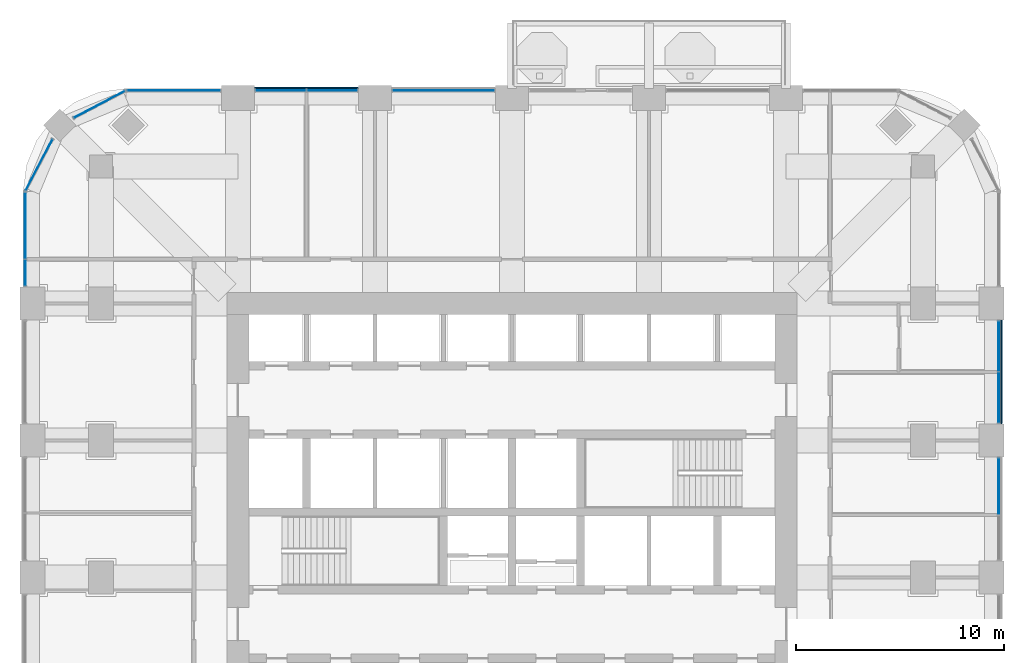
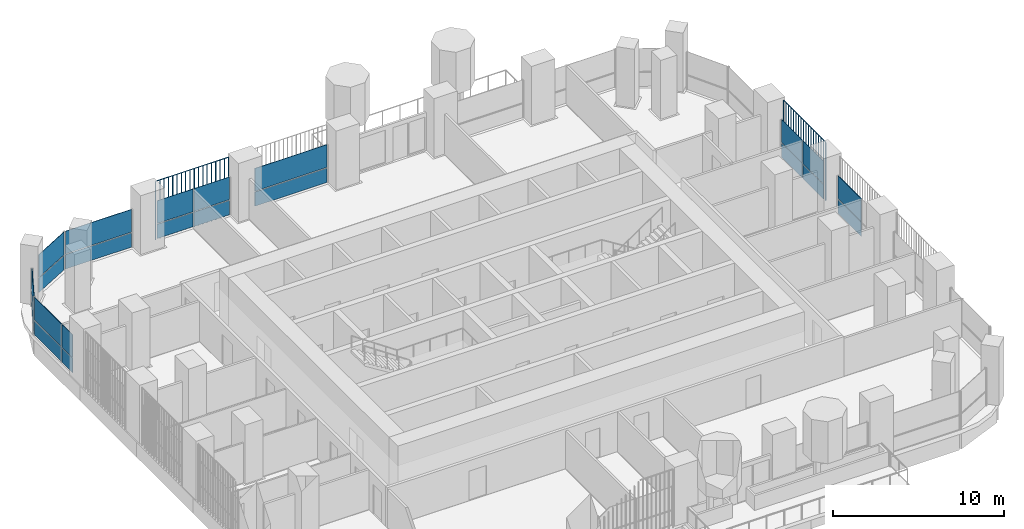
# One storey, part 11 of 19: 24 plates, 8 elements without a shape of their own.
"""IFC4 building model written with IfcOpenShell, lengths in metres."""

import ifcopenshell
import ifcopenshell.guid

model = None  # the IFC model being written
_history = None  # IfcOwnerHistory: only IFC2X3 demands one
_inside = {}  # id of a spatial element -> (the spatial element, [elements in it])
_under = {}  # id of a project, library or spatial element -> (it, [spatial elements below it])
_declared = {}  # id of a project -> (the project, [libraries it declares])
_typed = {}  # id of a type object -> (the type object, [elements of that type])
_made_of = {}  # id of a material, layer set ... -> (it, [elements and type objects made of it])


def new_model(schema):
    """Start an empty IFC model of exactly this schema.

    Asked for "IFC4X3", IfcOpenShell would pick the latest addendum, in which some entities
    have other attributes; the version numbers below select the first issue.
    IFC2X3 requires an IfcOwnerHistory on every rooted entity: one is made here for all.
    """
    global model, _history
    if schema == "IFC4X3":
        model = ifcopenshell.file(schema_version=(4, 3, 0, 0))
    else:
        model = ifcopenshell.file(schema=schema)
    _inside.clear()
    _under.clear()
    _declared.clear()
    _typed.clear()
    _made_of.clear()
    _history = None
    if model.schema == "IFC2X3":
        org = make("IfcOrganization", Name="unknown")
        user = make(
            "IfcPersonAndOrganization",
            ThePerson=make("IfcPerson", FamilyName="unknown"),
            TheOrganization=org,
        )
        app = make(
            "IfcApplication",
            ApplicationDeveloper=org,
            Version="unknown",
            ApplicationFullName="unknown",
            ApplicationIdentifier="unknown",
        )
        _history = make(
            "IfcOwnerHistory",
            OwningUser=user,
            OwningApplication=app,
            ChangeAction="ADDED",
            CreationDate=0,
        )
    return model


def make(cls, **values):
    """One entity of the class cls with the attributes given. An attribute that is None is left unset."""
    return model.create_entity(
        cls, **{name: value for name, value in values.items() if value is not None}
    )


def rooted(cls, **values):
    """An entity with a GlobalId (a new one), such as an element, a storey or a relation."""
    return make(cls, GlobalId=ifcopenshell.guid.new(), OwnerHistory=_history, **values)


def si_unit(unit_type, name, prefix=None):
    """IfcSIUnit, for example si_unit("LENGTHUNIT", "METRE", prefix="MILLI")."""
    return make("IfcSIUnit", UnitType=unit_type, Prefix=prefix, Name=name)


def assignment(units):
    """IfcUnitAssignment: the units of a project."""
    return None if units is None else make("IfcUnitAssignment", Units=units)


def point(xyz):
    """IfcCartesianPoint."""
    return None if xyz is None else make("IfcCartesianPoint", Coordinates=xyz)


def direction(xyz):
    """IfcDirection."""
    return None if xyz is None else make("IfcDirection", DirectionRatios=xyz)


def frame(location, z_axis=None, x_axis=None):
    """IfcAxis2Placement3D, a coordinate frame: its origin and axes. An axis left out is left unset."""
    return make(
        "IfcAxis2Placement3D",
        Location=point(location),
        Axis=direction(z_axis),
        RefDirection=direction(x_axis),
    )


def frame_2d(location, x_axis=None):
    """IfcAxis2Placement2D, a coordinate frame in the plane: its origin and x axis."""
    return make(
        "IfcAxis2Placement2D", Location=point(location), RefDirection=direction(x_axis)
    )


def origin():
    """The frame at (0, 0, 0) with its axes left unset."""
    return frame((0.0, 0.0, 0.0))


def origin_2d():
    """The frame at (0, 0) in the plane with its x axis left unset."""
    return frame_2d((0.0, 0.0))


def place(relative_to, where):
    """IfcLocalPlacement: puts the frame where relative to a parent placement (None: the world)."""
    return make(
        "IfcLocalPlacement", PlacementRelTo=relative_to, RelativePlacement=where
    )


def context(
    kind, dimensions, precision=None, world=None, true_north=None, identifier=None
):
    """IfcGeometricRepresentationContext, for example the 3D "Model" context."""
    return make(
        "IfcGeometricRepresentationContext",
        ContextIdentifier=identifier,
        ContextType=kind,
        CoordinateSpaceDimension=dimensions,
        Precision=precision,
        WorldCoordinateSystem=world,
        TrueNorth=true_north,
    )


def subcontext(parent, identifier, kind, view, scale=None):
    """IfcGeometricRepresentationSubContext, for example "Body" below "Model"."""
    return make(
        "IfcGeometricRepresentationSubContext",
        ContextIdentifier=identifier,
        ContextType=kind,
        ParentContext=parent,
        TargetScale=scale,
        TargetView=view,
    )


def project(units=None, contexts=None):
    """IfcProject with its units and contexts."""
    return rooted(
        "IfcProject",
        Name="project",
        RepresentationContexts=contexts,
        UnitsInContext=assignment(units),
    )


def spatial(cls, under=None, at=None, **own):
    """A site, building, storey or space (cls), placed at a placement, below another one or the project."""
    s = rooted(cls, ObjectPlacement=at, **own)
    if under is not None:
        _under.setdefault(under.id(), (under, []))[1].append(s)
    return s


def polyline(points):
    """IfcPolyline through the points."""
    return make("IfcPolyline", Points=[point(p) for p in points])


def profile(cls, at=None, kind="AREA", **sizes):
    """A parametric profile (cls). Its sizes go by their IFC names, for example OverallWidth=200.0."""
    return make(cls, ProfileType=kind, Position=at, **sizes)


def rectangle(**sizes):
    """IfcRectangleProfileDef."""
    return profile("IfcRectangleProfileDef", **sizes)


def outline(outer, holes=None, kind="AREA"):
    """IfcArbitraryClosedProfileDef: a profile drawn as a closed curve; with holes, ...WithVoids."""
    if holes is None:
        return make("IfcArbitraryClosedProfileDef", ProfileType=kind, OuterCurve=outer)
    return make(
        "IfcArbitraryProfileDefWithVoids",
        ProfileType=kind,
        OuterCurve=outer,
        InnerCurves=holes,
    )


def extrude(swept, where, along, depth):
    """IfcExtrudedAreaSolid: the profile swept, set in the frame where, extruded along a direction by depth."""
    return make(
        "IfcExtrudedAreaSolid",
        SweptArea=swept,
        Position=where,
        ExtrudedDirection=direction(along),
        Depth=depth,
    )


def shape(context_of_items, identifier, shape_type, items):
    """IfcShapeRepresentation: the items that make up one representation, for example the "Body"."""
    return make(
        "IfcShapeRepresentation",
        ContextOfItems=context_of_items,
        RepresentationIdentifier=identifier,
        RepresentationType=shape_type,
        Items=items,
    )


def material(Name=None, Category=None):
    """IfcMaterial."""
    return make("IfcMaterial", Name=Name, Category=Category)


def layer(
    of_material, thickness, ventilated=None, Name=None, Category=None, Priority=None
):
    """IfcMaterialLayer: one layer of a wall or slab, of a material (None: an air gap)."""
    return make(
        "IfcMaterialLayer",
        Material=of_material,
        LayerThickness=thickness,
        IsVentilated=ventilated,
        Name=Name,
        Category=Category,
        Priority=Priority,
    )


def layer_set(layers, Name=None):
    """IfcMaterialLayerSet."""
    return make("IfcMaterialLayerSet", MaterialLayers=layers, LayerSetName=Name)


def made_of(thing, what):
    """Note that an element or type object is made of a material, layer set ...; save() writes the relation."""
    if what is not None:
        _made_of.setdefault(what.id(), (what, []))[1].append(thing)
    return thing


def type_object(cls, material=None, **own):
    """A type object (cls), such as IfcWallType, which elements share."""
    return made_of(rooted(cls, **own), material)


def element(
    cls,
    number,
    at=None,
    inside=None,
    cuts=None,
    type_object=None,
    material=None,
    context=None,
    identifier="Body",
    shape_type=None,
    held_by="IfcProductDefinitionShape",
    body=None,
    shapes=None,
    **own,
):
    """One element of the class cls, such as IfcWall. Its Tag is "e" and its number.

    at: its placement. inside: the storey or other place that contains it. cuts: it is an
    opening in that element (IfcRelVoidsElement). A single representation is given by context,
    identifier, shape_type and body (its items); several are given by shapes. held_by: the class
    of the entity that holds the representations. save() writes the other relations.
    """
    e = rooted(cls, Tag="e%d" % number, ObjectPlacement=at, **own)
    if body is not None:
        shapes = [shape(context, identifier, shape_type, body)]
    if shapes is not None:
        e.Representation = make(held_by, Representations=shapes)
    if inside is not None:
        _inside.setdefault(inside.id(), (inside, []))[1].append(e)
    if cuts is not None:
        rooted(
            "IfcRelVoidsElement", RelatingBuildingElement=cuts, RelatedOpeningElement=e
        )
    if type_object is not None:
        _typed.setdefault(type_object.id(), (type_object, []))[1].append(e)
    return made_of(e, material)


def aggregate(whole, parts):
    """IfcRelAggregates: a whole, such as a stair, and the parts it consists of."""
    return rooted("IfcRelAggregates", RelatingObject=whole, RelatedObjects=parts)


def save(model, path):
    """Write the relations noted so far, then the file.

    IfcRelAggregates (storeys below a building ...), IfcRelContainedInSpatialStructure (elements
    in a storey), IfcRelDefinesByType, IfcRelAssociatesMaterial and IfcRelDeclares: one each for
    every whole, place, type object, material and project.
    """
    for whole, parts in _under.values():
        aggregate(whole, parts)
    for where, things in _inside.values():
        rooted(
            "IfcRelContainedInSpatialStructure",
            RelatedElements=things,
            RelatingStructure=where,
        )
    for kind, things in _typed.values():
        rooted("IfcRelDefinesByType", RelatedObjects=things, RelatingType=kind)
    for what, things in _made_of.values():
        rooted("IfcRelAssociatesMaterial", RelatedObjects=things, RelatingMaterial=what)
    for by, libraries in _declared.values():
        rooted("IfcRelDeclares", RelatingContext=by, RelatedDefinitions=libraries)
    model.write(path)


model = new_model("IFC4")

# Units and contexts
model_context = context("Model", 3, precision=1e-05, world=origin(), true_north=direction((0.0, 1.0)))
body_context = subcontext(model_context, "Body", "Model", "MODEL_VIEW")
ifc_project = project(units=[si_unit("LENGTHUNIT", "METRE"), si_unit("AREAUNIT", "SQUARE_METRE"), si_unit("VOLUMEUNIT", "CUBIC_METRE"), si_unit("PLANEANGLEUNIT", "RADIAN"), si_unit("MASSUNIT", "GRAM", prefix="KILO")], contexts=[model_context])

# Site, building, storey
site_placement = place(None, origin())
site = spatial("IfcSite", under=ifc_project, at=site_placement, CompositionType="ELEMENT")
building_placement = place(site_placement, origin())
building = spatial("IfcBuilding", under=site, at=building_placement, Name="Cobogo Forest Laboratory Tower", CompositionType="ELEMENT")
storey_placement = place(building_placement, frame((0.0, 0.0, 197.699951171875)))
storey = spatial("IfcBuildingStorey", under=building, at=storey_placement, Name="L45", CompositionType="ELEMENT", Elevation=197.699951171875)

# Curtain wall, plates
ifc_material_1 = material(Name="Aluminium curtain wall", Category="aluminium")
curtain_wall_type = type_object("IfcCurtainWallType", Name="CW-2 unitised curtain wall, solar control glazing, laboratory floors zones C and D", PredefinedType="USERDEFINED", material=ifc_material_1)
curtain_wall_1_placement = place(storey_placement, origin())
curtain_wall_1 = element("IfcCurtainWall", 1, at=curtain_wall_1_placement, inside=storey, type_object=curtain_wall_type, Name="Curtain wall 11 L45", ObjectType="UNITISED CURTAIN WALL", PredefinedType="USERDEFINED")
ifc_material_2 = material(Name="Solar control insulated glass", Category="glass")
ifc_layer = layer(ifc_material_2, 0.031982421875)
ifc_layer_set = layer_set([ifc_layer], Name="GP-2 solar control glass unit 32")
plate_type_1 = type_object("IfcPlateType", Name="GP-2 solar control glass unit 32", PredefinedType="CURTAIN_PANEL", material=ifc_layer_set)
plate_1_placement = place(storey_placement, frame((49.85009765625, 24.18505859375, 0.0), z_axis=(0.0, 0.0, 1.0), x_axis=(0.0, 1.0, 0.0)))
plate_1 = element("IfcPlate", 2, at=plate_1_placement, type_object=plate_type_1, Name="CW-2 panel 2.1", PredefinedType="CURTAIN_PANEL", context=body_context, shape_type="SweptSolid", body=[
    extrude(rectangle(XDim=2.7099609375, YDim=0.031982421875, at=origin_2d()), origin(), (0.0, 0.0, 1.0), 1.02001953125),
])
plate_2_placement = place(storey_placement, frame((49.85009765625, 24.18505859375, 1.080078125), z_axis=(0.0, 0.0, 1.0), x_axis=(0.0, 1.0, 0.0)))
plate_2 = element("IfcPlate", 3, at=plate_2_placement, type_object=plate_type_1, Name="CW-2 panel 2.2", PredefinedType="CURTAIN_PANEL", context=body_context, shape_type="SweptSolid", body=[
    extrude(rectangle(XDim=2.7099609375, YDim=0.031982421875, at=origin_2d()), origin(), (0.0, 0.0, 1.0), 1.6201171875),
])
aggregate(curtain_wall_1, [plate_1, plate_2])

curtain_wall_2_placement = place(storey_placement, origin())
curtain_wall_2 = element("IfcCurtainWall", 4, at=curtain_wall_2_placement, inside=storey, type_object=curtain_wall_type, Name="Curtain wall 12 L45", ObjectType="UNITISED CURTAIN WALL", PredefinedType="USERDEFINED")
plate_3_placement = place(storey_placement, frame((49.85009765625, 28.465087890625, 0.0), z_axis=(0.0, 0.0, 1.0), x_axis=(0.0, 1.0, 0.0)))
plate_3 = element("IfcPlate", 5, at=plate_3_placement, type_object=plate_type_1, Name="CW-2 panel 1.1", PredefinedType="CURTAIN_PANEL", context=body_context, shape_type="SweptSolid", body=[
    extrude(rectangle(XDim=2.409912109375, YDim=0.031982421875, at=origin_2d()), origin(), (0.0, 0.0, 1.0), 1.02001953125),
])
plate_4_placement = place(storey_placement, frame((49.85009765625, 28.465087890625, 1.080078125), z_axis=(0.0, 0.0, 1.0), x_axis=(0.0, 1.0, 0.0)))
plate_4 = element("IfcPlate", 6, at=plate_4_placement, type_object=plate_type_1, Name="CW-2 panel 1.2", PredefinedType="CURTAIN_PANEL", context=body_context, shape_type="SweptSolid", body=[
    extrude(rectangle(XDim=2.409912109375, YDim=0.031982421875, at=origin_2d()), origin(), (0.0, 0.0, 1.0), 1.6201171875),
])
plate_5_placement = place(storey_placement, frame((49.85009765625, 30.93505859375, 0.0), z_axis=(0.0, 0.0, 1.0), x_axis=(0.0, 1.0, 0.0)))
plate_5 = element("IfcPlate", 7, at=plate_5_placement, type_object=plate_type_1, Name="CW-2 panel 2.1", PredefinedType="CURTAIN_PANEL", context=body_context, shape_type="SweptSolid", body=[
    extrude(rectangle(XDim=2.409912109375, YDim=0.031982421875, at=origin_2d()), origin(), (0.0, 0.0, 1.0), 1.02001953125),
])
plate_6_placement = place(storey_placement, frame((49.85009765625, 30.93505859375, 1.080078125), z_axis=(0.0, 0.0, 1.0), x_axis=(0.0, 1.0, 0.0)))
plate_6 = element("IfcPlate", 8, at=plate_6_placement, type_object=plate_type_1, Name="CW-2 panel 2.2", PredefinedType="CURTAIN_PANEL", context=body_context, shape_type="SweptSolid", body=[
    extrude(rectangle(XDim=2.409912109375, YDim=0.031982421875, at=origin_2d()), origin(), (0.0, 0.0, 1.0), 1.6201171875),
])
aggregate(curtain_wall_2, [plate_3, plate_4, plate_5, plate_6])

curtain_wall_3_placement = place(storey_placement, origin())
curtain_wall_3 = element("IfcCurtainWall", 9, at=curtain_wall_3_placement, inside=storey, type_object=curtain_wall_type, Name="Curtain wall 19 L45", ObjectType="UNITISED CURTAIN WALL", PredefinedType="USERDEFINED")
plate_7_placement = place(storey_placement, frame((23.10009765625, 43.25, 0.0), z_axis=(0.0, 0.0, 1.0), x_axis=(-1.0, 0.0, 0.0)))
plate_7 = element("IfcPlate", 10, at=plate_7_placement, type_object=plate_type_1, Name="CW-2 panel 1.1", PredefinedType="CURTAIN_PANEL", context=body_context, shape_type="SweptSolid", body=[
    extrude(rectangle(XDim=4.8798828125, YDim=0.031982421875, at=origin_2d()), origin(), (0.0, 0.0, 1.0), 1.02001953125),
])
plate_8_placement = place(storey_placement, frame((23.10009765625, 43.25, 1.080078125), z_axis=(0.0, 0.0, 1.0), x_axis=(-1.0, 0.0, 0.0)))
plate_8 = element("IfcPlate", 11, at=plate_8_placement, type_object=plate_type_1, Name="CW-2 panel 1.2", PredefinedType="CURTAIN_PANEL", context=body_context, shape_type="SweptSolid", body=[
    extrude(rectangle(XDim=4.8798828125, YDim=0.031982421875, at=origin_2d()), origin(), (0.0, 0.0, 1.0), 1.6201171875),
])
aggregate(curtain_wall_3, [plate_7, plate_8])

curtain_wall_4_placement = place(storey_placement, origin())
curtain_wall_4 = element("IfcCurtainWall", 12, at=curtain_wall_4_placement, inside=storey, type_object=curtain_wall_type, Name="Curtain wall 20 L45", ObjectType="UNITISED CURTAIN WALL", PredefinedType="USERDEFINED")
plate_9_placement = place(storey_placement, frame((17.735107421875, 43.25, 0.0), z_axis=(0.0, 0.0, 1.0), x_axis=(-1.0, 0.0, 0.0)))
plate_9 = element("IfcPlate", 13, at=plate_9_placement, type_object=plate_type_1, Name="CW-2 panel 1.1", PredefinedType="CURTAIN_PANEL", context=body_context, shape_type="SweptSolid", body=[
    extrude(rectangle(XDim=2.409912109375, YDim=0.031982421875, at=origin_2d()), origin(), (0.0, 0.0, 1.0), 1.02001953125),
])
plate_10_placement = place(storey_placement, frame((17.735107421875, 43.25, 1.080078125), z_axis=(0.0, 0.0, 1.0), x_axis=(-1.0, 0.0, 0.0)))
plate_10 = element("IfcPlate", 14, at=plate_10_placement, type_object=plate_type_1, Name="CW-2 panel 1.2", PredefinedType="CURTAIN_PANEL", context=body_context, shape_type="SweptSolid", body=[
    extrude(rectangle(XDim=2.409912109375, YDim=0.031982421875, at=origin_2d()), origin(), (0.0, 0.0, 1.0), 1.6201171875),
])
plate_11_placement = place(storey_placement, frame((15.264892578125, 43.25, 0.0), z_axis=(0.0, 0.0, 1.0), x_axis=(-1.0, 0.0, 0.0)))
plate_11 = element("IfcPlate", 15, at=plate_11_placement, type_object=plate_type_1, Name="CW-2 panel 2.1", PredefinedType="CURTAIN_PANEL", context=body_context, shape_type="SweptSolid", body=[
    extrude(rectangle(XDim=2.409912109375, YDim=0.031982421875, at=origin_2d()), origin(), (0.0, 0.0, 1.0), 1.02001953125),
])
plate_12_placement = place(storey_placement, frame((15.264892578125, 43.25, 1.080078125), z_axis=(0.0, 0.0, 1.0), x_axis=(-1.0, 0.0, 0.0)))
plate_12 = element("IfcPlate", 16, at=plate_12_placement, type_object=plate_type_1, Name="CW-2 panel 2.2", PredefinedType="CURTAIN_PANEL", context=body_context, shape_type="SweptSolid", body=[
    extrude(rectangle(XDim=2.409912109375, YDim=0.031982421875, at=origin_2d()), origin(), (0.0, 0.0, 1.0), 1.6201171875),
])
aggregate(curtain_wall_4, [plate_9, plate_10, plate_11, plate_12])

curtain_wall_5_placement = place(storey_placement, origin())
curtain_wall_5 = element("IfcCurtainWall", 17, at=curtain_wall_5_placement, inside=storey, type_object=curtain_wall_type, Name="Curtain wall 21 L45", ObjectType="UNITISED CURTAIN WALL", PredefinedType="USERDEFINED")
plate_13_placement = place(storey_placement, frame((10.10009765625, 43.25, 0.0), z_axis=(0.0, 0.0, 1.0), x_axis=(-1.0, 0.0, 0.0)))
plate_13 = element("IfcPlate", 18, at=plate_13_placement, type_object=plate_type_1, Name="CW-2 panel 1.1", PredefinedType="CURTAIN_PANEL", context=body_context, shape_type="SweptSolid", body=[
    extrude(rectangle(XDim=4.47998046875, YDim=0.031982421875, at=origin_2d()), origin(), (0.0, 0.0, 1.0), 1.02001953125),
])
plate_14_placement = place(storey_placement, frame((10.10009765625, 43.25, 1.080078125), z_axis=(0.0, 0.0, 1.0), x_axis=(-1.0, 0.0, 0.0)))
plate_14 = element("IfcPlate", 19, at=plate_14_placement, type_object=plate_type_1, Name="CW-2 panel 1.2", PredefinedType="CURTAIN_PANEL", context=body_context, shape_type="SweptSolid", body=[
    extrude(rectangle(XDim=4.47998046875, YDim=0.031982421875, at=origin_2d()), origin(), (0.0, 0.0, 1.0), 1.6201171875),
])
aggregate(curtain_wall_5, [plate_13, plate_14])

curtain_wall_6_placement = place(storey_placement, origin())
curtain_wall_6 = element("IfcCurtainWall", 20, at=curtain_wall_6_placement, inside=storey, type_object=curtain_wall_type, Name="Curtain wall 22 L45", ObjectType="UNITISED CURTAIN WALL", PredefinedType="USERDEFINED")
plate_15_placement = place(storey_placement, frame((6.5244140625, 42.581298828125, 0.0), z_axis=(0.0, 0.0, 1.0), x_axis=(-0.885686484356, -0.464283804832, 0.0)))
plate_15 = element("IfcPlate", 21, at=plate_15_placement, type_object=plate_type_1, Name="CW-2 panel 1.1", PredefinedType="CURTAIN_PANEL", context=body_context, shape_type="SweptSolid", body=[
    extrude(rectangle(XDim=2.76025390625, YDim=0.031982421875, at=origin_2d()), origin(), (0.0, 0.0, 1.0), 1.02001953125),
])
plate_16_placement = place(storey_placement, frame((6.5244140625, 42.581298828125, 1.080078125), z_axis=(0.0, 0.0, 1.0), x_axis=(-0.885686484356, -0.464283804832, 0.0)))
plate_16 = element("IfcPlate", 22, at=plate_16_placement, type_object=plate_type_1, Name="CW-2 panel 1.2", PredefinedType="CURTAIN_PANEL", context=body_context, shape_type="SweptSolid", body=[
    extrude(rectangle(XDim=2.76025390625, YDim=0.031982421875, at=origin_2d()), origin(), (0.0, 0.0, 1.0), 1.6201171875),
])
aggregate(curtain_wall_6, [plate_15, plate_16])

curtain_wall_7_placement = place(storey_placement, origin())
curtain_wall_7 = element("IfcCurtainWall", 23, at=curtain_wall_7_placement, inside=storey, type_object=curtain_wall_type, Name="Curtain wall 23 L45", ObjectType="UNITISED CURTAIN WALL", PredefinedType="USERDEFINED")
plate_17_placement = place(storey_placement, frame((3.61865234375, 39.675537109375, 0.0), z_axis=(0.0, 0.0, 1.0), x_axis=(-0.464283804832, -0.885686484356, 0.0)))
plate_17 = element("IfcPlate", 24, at=plate_17_placement, type_object=plate_type_1, Name="CW-2 panel 1.1", PredefinedType="CURTAIN_PANEL", context=body_context, shape_type="SweptSolid", body=[
    extrude(rectangle(XDim=2.76025390625, YDim=0.031982421875, at=origin_2d()), origin(), (0.0, 0.0, 1.0), 1.02001953125),
])
plate_18_placement = place(storey_placement, frame((3.61865234375, 39.675537109375, 1.080078125), z_axis=(0.0, 0.0, 1.0), x_axis=(-0.464283804832, -0.885686484356, 0.0)))
plate_18 = element("IfcPlate", 25, at=plate_18_placement, type_object=plate_type_1, Name="CW-2 panel 1.2", PredefinedType="CURTAIN_PANEL", context=body_context, shape_type="SweptSolid", body=[
    extrude(rectangle(XDim=2.76025390625, YDim=0.031982421875, at=origin_2d()), origin(), (0.0, 0.0, 1.0), 1.6201171875),
])
aggregate(curtain_wall_7, [plate_17, plate_18])

curtain_wall_8_placement = place(storey_placement, origin())
curtain_wall_8 = element("IfcCurtainWall", 26, at=curtain_wall_8_placement, inside=storey, type_object=curtain_wall_type, Name="Curtain wall 24 L45", ObjectType="UNITISED CURTAIN WALL", PredefinedType="USERDEFINED")
plate_19_placement = place(storey_placement, frame((2.949951171875, 36.74755859375, 0.0), z_axis=(0.0, 0.0, 1.0), x_axis=(0.0, -1.0, 0.0)))
plate_19 = element("IfcPlate", 27, at=plate_19_placement, type_object=plate_type_1, Name="CW-2 panel 1.1", PredefinedType="CURTAIN_PANEL", context=body_context, shape_type="SweptSolid", body=[
    extrude(rectangle(XDim=3.18505859375, YDim=0.031982421875, at=origin_2d()), origin(), (0.0, 0.0, 1.0), 1.02001953125),
])
plate_20_placement = place(storey_placement, frame((2.949951171875, 36.74755859375, 1.080078125), z_axis=(0.0, 0.0, 1.0), x_axis=(0.0, -1.0, 0.0)))
plate_20 = element("IfcPlate", 28, at=plate_20_placement, type_object=plate_type_1, Name="CW-2 panel 1.2", PredefinedType="CURTAIN_PANEL", context=body_context, shape_type="SweptSolid", body=[
    extrude(rectangle(XDim=3.18505859375, YDim=0.031982421875, at=origin_2d()), origin(), (0.0, 0.0, 1.0), 1.6201171875),
])
plate_21_placement = place(storey_placement, frame((2.949951171875, 34.4775390625, 0.0), z_axis=(0.0, 0.0, 1.0), x_axis=(0.0, -1.0, 0.0)))
plate_21 = element("IfcPlate", 29, at=plate_21_placement, type_object=plate_type_1, Name="CW-2 panel 2.1", PredefinedType="CURTAIN_PANEL", context=body_context, shape_type="SweptSolid", body=[
    extrude(rectangle(XDim=1.235107421875, YDim=0.031982421875, at=origin_2d()), origin(), (0.0, 0.0, 1.0), 1.02001953125),
])
plate_22_placement = place(storey_placement, frame((2.949951171875, 34.4775390625, 1.080078125), z_axis=(0.0, 0.0, 1.0), x_axis=(0.0, -1.0, 0.0)))
plate_22 = element("IfcPlate", 30, at=plate_22_placement, type_object=plate_type_1, Name="CW-2 panel 2.2", PredefinedType="CURTAIN_PANEL", context=body_context, shape_type="SweptSolid", body=[
    extrude(rectangle(XDim=1.235107421875, YDim=0.031982421875, at=origin_2d()), origin(), (0.0, 0.0, 1.0), 1.6201171875),
])
aggregate(curtain_wall_8, [plate_19, plate_20, plate_21, plate_22])

# Plates
ifc_material_3 = material(Name="Terracotta", Category="masonry")
plate_type_2 = type_object("IfcPlateType", Name="TB1 terracotta baguette screen", PredefinedType="USERDEFINED", material=ifc_material_3)
plate_23_placement = place(storey_placement, frame((49.977783203125, 27.231201171875, -0.14990234375)))
element("IfcPlate", 31, at=plate_23_placement, inside=storey, type_object=plate_type_2, Name="Baguette screen E3 L45", ObjectType="BAGUETTE SCREEN", PredefinedType="USERDEFINED", context=body_context, shape_type="SweptSolid", body=[
    extrude(outline(polyline([(0.02880859375, 0.011962890625), (0.011962890625, 0.02880859375), (-0.011962890625, 0.02880859375), (-0.02880859375, 0.011962890625), (-0.02880859375, -0.011962890625), (-0.011962890625, -0.02880859375), (0.011962890625, -0.02880859375), (0.02880859375, -0.011962890625), (0.02880859375, 0.011962890625)])), frame((0.0, 0.0, 4.168701171875), z_axis=(0.0, 1.0, 0.0), x_axis=(-1.0, 0.0, 0.0)), (0.0, 0.0, 1.0), 4.9375),
    extrude(outline(polyline([(0.02880859375, 0.011962890625), (0.011962890625, 0.02880859375), (-0.011962890625, 0.02880859375), (-0.02880859375, 0.011962890625), (-0.02880859375, -0.011962890625), (-0.011962890625, -0.02880859375), (0.011962890625, -0.02880859375), (0.02880859375, -0.011962890625), (0.02880859375, 0.011962890625)])), origin(), (0.0, 0.0, 1.0), 4.137451171875),
    extrude(outline(polyline([(0.02880859375, 0.011962890625), (0.011962890625, 0.02880859375), (-0.011962890625, 0.02880859375), (-0.02880859375, 0.011962890625), (-0.02880859375, -0.011962890625), (-0.011962890625, -0.02880859375), (0.011962890625, -0.02880859375), (0.02880859375, -0.011962890625), (0.02880859375, 0.011962890625)])), frame((0.0, 0.29052734375, 0.0)), (0.0, 0.0, 1.0), 4.137451171875),
    extrude(outline(polyline([(0.02880859375, 0.011962890625), (0.011962890625, 0.02880859375), (-0.011962890625, 0.02880859375), (-0.02880859375, 0.011962890625), (-0.02880859375, -0.011962890625), (-0.011962890625, -0.02880859375), (0.011962890625, -0.02880859375), (0.02880859375, -0.011962890625), (0.02880859375, 0.011962890625)])), frame((0.0, 0.580810546875, 0.0)), (0.0, 0.0, 1.0), 4.137451171875),
    extrude(outline(polyline([(0.02880859375, 0.011962890625), (0.011962890625, 0.02880859375), (-0.011962890625, 0.02880859375), (-0.02880859375, 0.011962890625), (-0.02880859375, -0.011962890625), (-0.011962890625, -0.02880859375), (0.011962890625, -0.02880859375), (0.02880859375, -0.011962890625), (0.02880859375, 0.011962890625)])), frame((0.0, 0.871337890625, 0.0)), (0.0, 0.0, 1.0), 4.137451171875),
    extrude(outline(polyline([(0.02880859375, 0.011962890625), (0.011962890625, 0.02880859375), (-0.011962890625, 0.02880859375), (-0.02880859375, 0.011962890625), (-0.02880859375, -0.011962890625), (-0.011962890625, -0.02880859375), (0.011962890625, -0.02880859375), (0.02880859375, -0.011962890625), (0.02880859375, 0.011962890625)])), frame((0.0, 1.161865234375, 0.0)), (0.0, 0.0, 1.0), 4.137451171875),
    extrude(outline(polyline([(0.02880859375, 0.011962890625), (0.011962890625, 0.02880859375), (-0.011962890625, 0.02880859375), (-0.02880859375, 0.011962890625), (-0.02880859375, -0.011962890625), (-0.011962890625, -0.02880859375), (0.011962890625, -0.02880859375), (0.02880859375, -0.011962890625), (0.02880859375, 0.011962890625)])), frame((0.0, 1.4521484375, 0.0)), (0.0, 0.0, 1.0), 4.137451171875),
    extrude(outline(polyline([(0.02880859375, 0.011962890625), (0.011962890625, 0.02880859375), (-0.011962890625, 0.02880859375), (-0.02880859375, 0.011962890625), (-0.02880859375, -0.011962890625), (-0.011962890625, -0.02880859375), (0.011962890625, -0.02880859375), (0.02880859375, -0.011962890625), (0.02880859375, 0.011962890625)])), frame((0.0, 1.74267578125, 0.0)), (0.0, 0.0, 1.0), 4.137451171875),
    extrude(outline(polyline([(0.02880859375, 0.011962890625), (0.011962890625, 0.02880859375), (-0.011962890625, 0.02880859375), (-0.02880859375, 0.011962890625), (-0.02880859375, -0.011962890625), (-0.011962890625, -0.02880859375), (0.011962890625, -0.02880859375), (0.02880859375, -0.011962890625), (0.02880859375, 0.011962890625)])), frame((0.0, 2.033203125, 0.0)), (0.0, 0.0, 1.0), 4.137451171875),
    extrude(outline(polyline([(0.02880859375, 0.011962890625), (0.011962890625, 0.02880859375), (-0.011962890625, 0.02880859375), (-0.02880859375, 0.011962890625), (-0.02880859375, -0.011962890625), (-0.011962890625, -0.02880859375), (0.011962890625, -0.02880859375), (0.02880859375, -0.011962890625), (0.02880859375, 0.011962890625)])), frame((0.0, 2.323486328125, 0.0)), (0.0, 0.0, 1.0), 4.137451171875),
    extrude(outline(polyline([(0.02880859375, 0.011962890625), (0.011962890625, 0.02880859375), (-0.011962890625, 0.02880859375), (-0.02880859375, 0.011962890625), (-0.02880859375, -0.011962890625), (-0.011962890625, -0.02880859375), (0.011962890625, -0.02880859375), (0.02880859375, -0.011962890625), (0.02880859375, 0.011962890625)])), frame((0.0, 2.614013671875, 0.0)), (0.0, 0.0, 1.0), 4.137451171875),
    extrude(outline(polyline([(0.02880859375, 0.011962890625), (0.011962890625, 0.02880859375), (-0.011962890625, 0.02880859375), (-0.02880859375, 0.011962890625), (-0.02880859375, -0.011962890625), (-0.011962890625, -0.02880859375), (0.011962890625, -0.02880859375), (0.02880859375, -0.011962890625), (0.02880859375, 0.011962890625)])), frame((0.0, 2.904296875, 0.0)), (0.0, 0.0, 1.0), 4.137451171875),
    extrude(outline(polyline([(0.02880859375, 0.011962890625), (0.011962890625, 0.02880859375), (-0.011962890625, 0.02880859375), (-0.02880859375, 0.011962890625), (-0.02880859375, -0.011962890625), (-0.011962890625, -0.02880859375), (0.011962890625, -0.02880859375), (0.02880859375, -0.011962890625), (0.02880859375, 0.011962890625)])), frame((0.0, 3.19482421875, 0.0)), (0.0, 0.0, 1.0), 4.137451171875),
    extrude(outline(polyline([(0.02880859375, 0.011962890625), (0.011962890625, 0.02880859375), (-0.011962890625, 0.02880859375), (-0.02880859375, 0.011962890625), (-0.02880859375, -0.011962890625), (-0.011962890625, -0.02880859375), (0.011962890625, -0.02880859375), (0.02880859375, -0.011962890625), (0.02880859375, 0.011962890625)])), frame((0.0, 3.4853515625, 0.0)), (0.0, 0.0, 1.0), 4.137451171875),
    extrude(outline(polyline([(0.02880859375, 0.011962890625), (0.011962890625, 0.02880859375), (-0.011962890625, 0.02880859375), (-0.02880859375, 0.011962890625), (-0.02880859375, -0.011962890625), (-0.011962890625, -0.02880859375), (0.011962890625, -0.02880859375), (0.02880859375, -0.011962890625), (0.02880859375, 0.011962890625)])), frame((0.0, 3.775634765625, 0.0)), (0.0, 0.0, 1.0), 4.137451171875),
    extrude(outline(polyline([(0.02880859375, 0.011962890625), (0.011962890625, 0.02880859375), (-0.011962890625, 0.02880859375), (-0.02880859375, 0.011962890625), (-0.02880859375, -0.011962890625), (-0.011962890625, -0.02880859375), (0.011962890625, -0.02880859375), (0.02880859375, -0.011962890625), (0.02880859375, 0.011962890625)])), frame((0.0, 4.066162109375, 0.0)), (0.0, 0.0, 1.0), 4.137451171875),
    extrude(outline(polyline([(0.02880859375, 0.011962890625), (0.011962890625, 0.02880859375), (-0.011962890625, 0.02880859375), (-0.02880859375, 0.011962890625), (-0.02880859375, -0.011962890625), (-0.011962890625, -0.02880859375), (0.011962890625, -0.02880859375), (0.02880859375, -0.011962890625), (0.02880859375, 0.011962890625)])), frame((0.0, 4.356689453125, 0.0)), (0.0, 0.0, 1.0), 4.137451171875),
    extrude(outline(polyline([(0.02880859375, 0.011962890625), (0.011962890625, 0.02880859375), (-0.011962890625, 0.02880859375), (-0.02880859375, 0.011962890625), (-0.02880859375, -0.011962890625), (-0.011962890625, -0.02880859375), (0.011962890625, -0.02880859375), (0.02880859375, -0.011962890625), (0.02880859375, 0.011962890625)])), frame((0.0, 4.64697265625, 0.0)), (0.0, 0.0, 1.0), 4.137451171875),
    extrude(outline(polyline([(0.02880859375, 0.011962890625), (0.011962890625, 0.02880859375), (-0.011962890625, 0.02880859375), (-0.02880859375, 0.011962890625), (-0.02880859375, -0.011962890625), (-0.011962890625, -0.02880859375), (0.011962890625, -0.02880859375), (0.02880859375, -0.011962890625), (0.02880859375, 0.011962890625)])), frame((0.0, 4.9375, 0.0)), (0.0, 0.0, 1.0), 4.137451171875),
])
plate_24_placement = place(storey_placement, frame((14.03125, 43.3779296875, -0.14990234375)))
element("IfcPlate", 32, at=plate_24_placement, inside=storey, type_object=plate_type_2, Name="Baguette screen N1 L45", ObjectType="BAGUETTE SCREEN", PredefinedType="USERDEFINED", context=body_context, shape_type="SweptSolid", body=[
    extrude(outline(polyline([(0.02880859375, 0.011962890625), (0.011962890625, 0.02880859375), (-0.011962890625, 0.02880859375), (-0.02880859375, 0.011962890625), (-0.02880859375, -0.011962890625), (-0.011962890625, -0.02880859375), (0.011962890625, -0.02880859375), (0.02880859375, -0.011962890625), (0.02880859375, 0.011962890625)])), frame((0.0, 0.0, 4.168701171875), z_axis=(1.0, 0.0, 0.0), x_axis=(0.0, 1.0, 0.0)), (0.0, 0.0, 1.0), 4.9375),
    extrude(outline(polyline([(0.02880859375, 0.011962890625), (0.011962890625, 0.02880859375), (-0.011962890625, 0.02880859375), (-0.02880859375, 0.011962890625), (-0.02880859375, -0.011962890625), (-0.011962890625, -0.02880859375), (0.011962890625, -0.02880859375), (0.02880859375, -0.011962890625), (0.02880859375, 0.011962890625)])), origin(), (0.0, 0.0, 1.0), 4.137451171875),
    extrude(outline(polyline([(0.02880859375, 0.011962890625), (0.011962890625, 0.02880859375), (-0.011962890625, 0.02880859375), (-0.02880859375, 0.011962890625), (-0.02880859375, -0.011962890625), (-0.011962890625, -0.02880859375), (0.011962890625, -0.02880859375), (0.02880859375, -0.011962890625), (0.02880859375, 0.011962890625)])), frame((0.29052734375, 0.0, 0.0)), (0.0, 0.0, 1.0), 4.137451171875),
    extrude(outline(polyline([(0.02880859375, 0.011962890625), (0.011962890625, 0.02880859375), (-0.011962890625, 0.02880859375), (-0.02880859375, 0.011962890625), (-0.02880859375, -0.011962890625), (-0.011962890625, -0.02880859375), (0.011962890625, -0.02880859375), (0.02880859375, -0.011962890625), (0.02880859375, 0.011962890625)])), frame((0.580810546875, 0.0, 0.0)), (0.0, 0.0, 1.0), 4.137451171875),
    extrude(outline(polyline([(0.02880859375, 0.011962890625), (0.011962890625, 0.02880859375), (-0.011962890625, 0.02880859375), (-0.02880859375, 0.011962890625), (-0.02880859375, -0.011962890625), (-0.011962890625, -0.02880859375), (0.011962890625, -0.02880859375), (0.02880859375, -0.011962890625), (0.02880859375, 0.011962890625)])), frame((0.871337890625, 0.0, 0.0)), (0.0, 0.0, 1.0), 4.137451171875),
    extrude(outline(polyline([(0.02880859375, 0.011962890625), (0.011962890625, 0.02880859375), (-0.011962890625, 0.02880859375), (-0.02880859375, 0.011962890625), (-0.02880859375, -0.011962890625), (-0.011962890625, -0.02880859375), (0.011962890625, -0.02880859375), (0.02880859375, -0.011962890625), (0.02880859375, 0.011962890625)])), frame((1.161865234375, 0.0, 0.0)), (0.0, 0.0, 1.0), 4.137451171875),
    extrude(outline(polyline([(0.02880859375, 0.011962890625), (0.011962890625, 0.02880859375), (-0.011962890625, 0.02880859375), (-0.02880859375, 0.011962890625), (-0.02880859375, -0.011962890625), (-0.011962890625, -0.02880859375), (0.011962890625, -0.02880859375), (0.02880859375, -0.011962890625), (0.02880859375, 0.011962890625)])), frame((1.4521484375, 0.0, 0.0)), (0.0, 0.0, 1.0), 4.137451171875),
    extrude(outline(polyline([(0.02880859375, 0.011962890625), (0.011962890625, 0.02880859375), (-0.011962890625, 0.02880859375), (-0.02880859375, 0.011962890625), (-0.02880859375, -0.011962890625), (-0.011962890625, -0.02880859375), (0.011962890625, -0.02880859375), (0.02880859375, -0.011962890625), (0.02880859375, 0.011962890625)])), frame((1.74267578125, 0.0, 0.0)), (0.0, 0.0, 1.0), 4.137451171875),
    extrude(outline(polyline([(0.02880859375, 0.011962890625), (0.011962890625, 0.02880859375), (-0.011962890625, 0.02880859375), (-0.02880859375, 0.011962890625), (-0.02880859375, -0.011962890625), (-0.011962890625, -0.02880859375), (0.011962890625, -0.02880859375), (0.02880859375, -0.011962890625), (0.02880859375, 0.011962890625)])), frame((2.033203125, 0.0, 0.0)), (0.0, 0.0, 1.0), 4.137451171875),
    extrude(outline(polyline([(0.02880859375, 0.011962890625), (0.011962890625, 0.02880859375), (-0.011962890625, 0.02880859375), (-0.02880859375, 0.011962890625), (-0.02880859375, -0.011962890625), (-0.011962890625, -0.02880859375), (0.011962890625, -0.02880859375), (0.02880859375, -0.011962890625), (0.02880859375, 0.011962890625)])), frame((2.323486328125, 0.0, 0.0)), (0.0, 0.0, 1.0), 4.137451171875),
    extrude(outline(polyline([(0.02880859375, 0.011962890625), (0.011962890625, 0.02880859375), (-0.011962890625, 0.02880859375), (-0.02880859375, 0.011962890625), (-0.02880859375, -0.011962890625), (-0.011962890625, -0.02880859375), (0.011962890625, -0.02880859375), (0.02880859375, -0.011962890625), (0.02880859375, 0.011962890625)])), frame((2.614013671875, 0.0, 0.0)), (0.0, 0.0, 1.0), 4.137451171875),
    extrude(outline(polyline([(0.02880859375, 0.011962890625), (0.011962890625, 0.02880859375), (-0.011962890625, 0.02880859375), (-0.02880859375, 0.011962890625), (-0.02880859375, -0.011962890625), (-0.011962890625, -0.02880859375), (0.011962890625, -0.02880859375), (0.02880859375, -0.011962890625), (0.02880859375, 0.011962890625)])), frame((2.904296875, 0.0, 0.0)), (0.0, 0.0, 1.0), 4.137451171875),
    extrude(outline(polyline([(0.02880859375, 0.011962890625), (0.011962890625, 0.02880859375), (-0.011962890625, 0.02880859375), (-0.02880859375, 0.011962890625), (-0.02880859375, -0.011962890625), (-0.011962890625, -0.02880859375), (0.011962890625, -0.02880859375), (0.02880859375, -0.011962890625), (0.02880859375, 0.011962890625)])), frame((3.19482421875, 0.0, 0.0)), (0.0, 0.0, 1.0), 4.137451171875),
    extrude(outline(polyline([(0.02880859375, 0.011962890625), (0.011962890625, 0.02880859375), (-0.011962890625, 0.02880859375), (-0.02880859375, 0.011962890625), (-0.02880859375, -0.011962890625), (-0.011962890625, -0.02880859375), (0.011962890625, -0.02880859375), (0.02880859375, -0.011962890625), (0.02880859375, 0.011962890625)])), frame((3.4853515625, 0.0, 0.0)), (0.0, 0.0, 1.0), 4.137451171875),
    extrude(outline(polyline([(0.02880859375, 0.011962890625), (0.011962890625, 0.02880859375), (-0.011962890625, 0.02880859375), (-0.02880859375, 0.011962890625), (-0.02880859375, -0.011962890625), (-0.011962890625, -0.02880859375), (0.011962890625, -0.02880859375), (0.02880859375, -0.011962890625), (0.02880859375, 0.011962890625)])), frame((3.775634765625, 0.0, 0.0)), (0.0, 0.0, 1.0), 4.137451171875),
    extrude(outline(polyline([(0.02880859375, 0.011962890625), (0.011962890625, 0.02880859375), (-0.011962890625, 0.02880859375), (-0.02880859375, 0.011962890625), (-0.02880859375, -0.011962890625), (-0.011962890625, -0.02880859375), (0.011962890625, -0.02880859375), (0.02880859375, -0.011962890625), (0.02880859375, 0.011962890625)])), frame((4.066162109375, 0.0, 0.0)), (0.0, 0.0, 1.0), 4.137451171875),
    extrude(outline(polyline([(0.02880859375, 0.011962890625), (0.011962890625, 0.02880859375), (-0.011962890625, 0.02880859375), (-0.02880859375, 0.011962890625), (-0.02880859375, -0.011962890625), (-0.011962890625, -0.02880859375), (0.011962890625, -0.02880859375), (0.02880859375, -0.011962890625), (0.02880859375, 0.011962890625)])), frame((4.356689453125, 0.0, 0.0)), (0.0, 0.0, 1.0), 4.137451171875),
    extrude(outline(polyline([(0.02880859375, 0.011962890625), (0.011962890625, 0.02880859375), (-0.011962890625, 0.02880859375), (-0.02880859375, 0.011962890625), (-0.02880859375, -0.011962890625), (-0.011962890625, -0.02880859375), (0.011962890625, -0.02880859375), (0.02880859375, -0.011962890625), (0.02880859375, 0.011962890625)])), frame((4.64697265625, 0.0, 0.0)), (0.0, 0.0, 1.0), 4.137451171875),
    extrude(outline(polyline([(0.02880859375, 0.011962890625), (0.011962890625, 0.02880859375), (-0.011962890625, 0.02880859375), (-0.02880859375, 0.011962890625), (-0.02880859375, -0.011962890625), (-0.011962890625, -0.02880859375), (0.011962890625, -0.02880859375), (0.02880859375, -0.011962890625), (0.02880859375, 0.011962890625)])), frame((4.9375, 0.0, 0.0)), (0.0, 0.0, 1.0), 4.137451171875),
])

save(model, "model.ifc")
